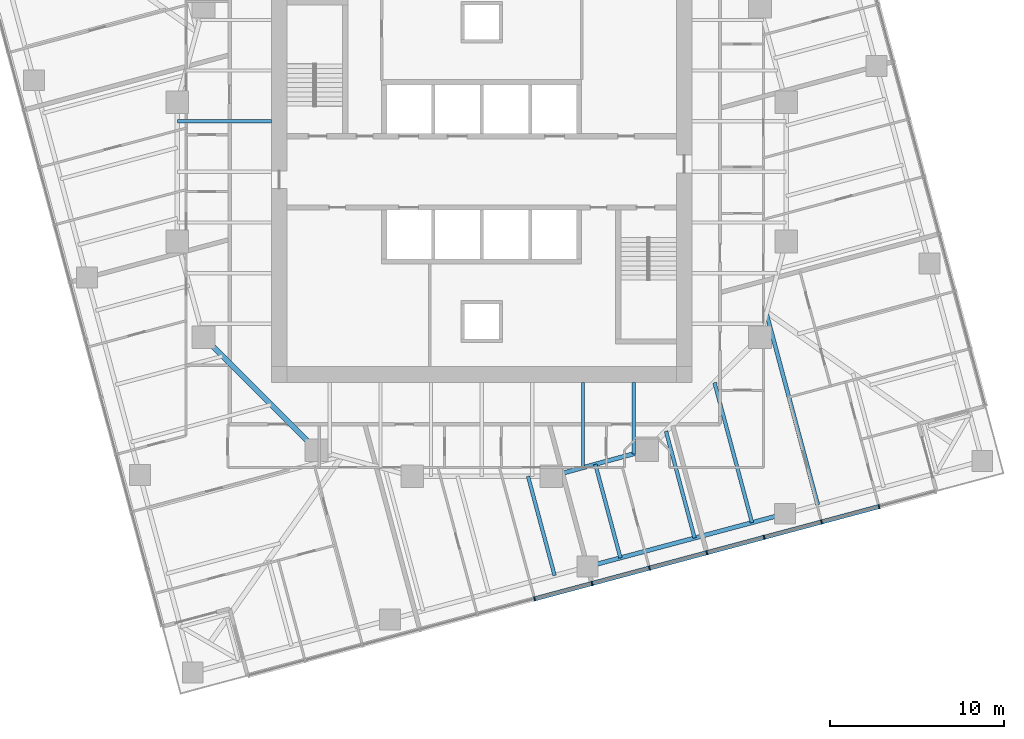
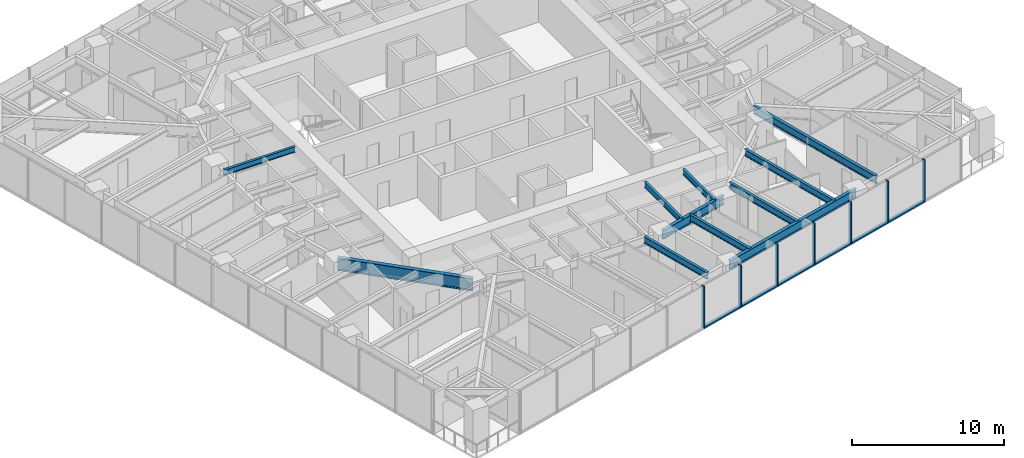
# One storey, part 3 of 14: 13 members, 11 beams, 1 element without a shape of its own.
"""IFC4 building model written with IfcOpenShell, lengths in metres."""

from ifc_helpers import new_model, si_unit, direction, frame, origin, origin_2d, place, context, subcontext, project, spatial, rectangle, i_section, extrude, material, material_profile, profile_set, type_object, element, aggregate, save


model = new_model("IFC4")

# Units and contexts
model_context = context("Model", 3, precision=1e-05, world=origin(), true_north=direction((0.0, 1.0)))
body_context = subcontext(model_context, "Body", "Model", "MODEL_VIEW")
ifc_project = project(units=[si_unit("LENGTHUNIT", "METRE"), si_unit("AREAUNIT", "SQUARE_METRE"), si_unit("VOLUMEUNIT", "CUBIC_METRE"), si_unit("PLANEANGLEUNIT", "RADIAN"), si_unit("MASSUNIT", "GRAM", prefix="KILO")], contexts=[model_context])

# Site, building, storey
site_placement = place(None, origin())
site = spatial("IfcSite", under=ifc_project, at=site_placement, CompositionType="ELEMENT")
building_placement = place(site_placement, origin())
building = spatial("IfcBuilding", under=site, at=building_placement, Name="Torsade Residences", CompositionType="ELEMENT")
storey_placement = place(building_placement, frame((0.0, 0.0, 121.800048828125)))
storey = spatial("IfcBuildingStorey", under=building, at=storey_placement, Name="L33", CompositionType="ELEMENT", Elevation=121.800048828125)

# Beams
ifc_material_1 = material(Name="Steel grade 300", Category="steel")
ifc_material_profile_1 = material_profile(ifc_material_1, i_section(OverallWidth=0.25, OverallDepth=0.699951171875, WebThickness=0.010009765625, FlangeThickness=0.02001953125, at=origin_2d()), Name="700WB130")
ifc_profile_set_1 = profile_set([ifc_material_profile_1], Name="Steel grade 300")
beam_type_1 = type_object("IfcBeamType", Name="EDGE BEAM 700WB130", PredefinedType="SPANDREL", material=ifc_profile_set_1)
beam_1_placement = place(storey_placement, frame((46.082275390625, 7.30078125, 2.89990234375), z_axis=(0.965928018634, 0.258810863021, 0.0), x_axis=(-0.258810863021, 0.965928018634, 0.0)))
element("IfcBeam", 1, at=beam_1_placement, inside=storey, type_object=beam_type_1, Name="Edge beam 03 L34", PredefinedType="SPANDREL", context=body_context, shape_type="SweptSolid", body=[
    extrude(i_section(OverallWidth=0.25, OverallDepth=0.699951171875, WebThickness=0.010009765625, FlangeThickness=0.02001953125, at=origin_2d()), origin(), (0.0, 0.0, 1.0), 11.75),
])
ifc_material_2 = material(Name="Steel grade 300", Category="steel")
ifc_material_profile_2 = material_profile(ifc_material_2, i_section(OverallWidth=0.18994140625, OverallDepth=0.4541015625, WebThickness=0.008544921875, FlangeThickness=0.0126953125, FilletRadius=0.011474609375, at=origin_2d()), Name="460UB67.1")
ifc_profile_set_2 = profile_set([ifc_material_profile_2], Name="Steel grade 300")
beam_type_2 = type_object("IfcBeamType", Name="INNER FLOOR BEAM 460UB67.1", PredefinedType="JOIST", material=ifc_profile_set_2)
beam_2_placement = place(storey_placement, frame((48.737548828125, 17.89990234375, 3.02294921875), z_axis=(0.0, -1.0, 0.0), x_axis=(1.0, 0.0, 0.0)))
element("IfcBeam", 2, at=beam_2_placement, inside=storey, type_object=beam_type_2, Name="Inner floor beam IS01 L34", PredefinedType="JOIST", context=body_context, shape_type="SweptSolid", body=[
    extrude(i_section(OverallWidth=0.18994140625, OverallDepth=0.4541015625, WebThickness=0.008544921875, FlangeThickness=0.0126953125, FilletRadius=0.011474609375, at=origin_2d()), origin(), (0.0, 0.0, 1.0), 4.10791015625),
])
beam_3_placement = place(storey_placement, frame((45.824951171875, 17.89990234375, 3.02294921875), z_axis=(0.0, -1.0, 0.0), x_axis=(1.0, 0.0, 0.0)))
element("IfcBeam", 3, at=beam_3_placement, inside=storey, type_object=beam_type_2, Name="Inner floor beam IS02 L34", PredefinedType="JOIST", context=body_context, shape_type="SweptSolid", body=[
    extrude(i_section(OverallWidth=0.18994140625, OverallDepth=0.4541015625, WebThickness=0.008544921875, FlangeThickness=0.0126953125, FilletRadius=0.011474609375, at=origin_2d()), origin(), (0.0, 0.0, 1.0), 4.902099609375),
])
beam_4_placement = place(storey_placement, frame((27.89990234375, 32.91259765625, 3.02294921875), z_axis=(-1.0, 0.0, 0.0), x_axis=(0.0, -1.0, 0.0)))
element("IfcBeam", 4, at=beam_4_placement, inside=storey, type_object=beam_type_2, Name="Inner floor beam IW03 L34", PredefinedType="JOIST", context=body_context, shape_type="SweptSolid", body=[
    extrude(i_section(OverallWidth=0.18994140625, OverallDepth=0.4541015625, WebThickness=0.008544921875, FlangeThickness=0.0126953125, FilletRadius=0.011474609375, at=origin_2d()), origin(), (0.0, 0.0, 1.0), 5.39990234375),
])

# Curtain wall, members
ifc_material_3 = material(Name="Aluminium and glass", Category="aluminium")
curtain_wall_type = type_object("IfcCurtainWallType", Name="FRITTED GLASS CURTAIN WALL MID ZONE", PredefinedType="NOTDEFINED", material=ifc_material_3)
curtain_wall_placement = place(storey_placement, origin())
curtain_wall = element("IfcCurtainWall", 5, at=curtain_wall_placement, inside=storey, type_object=curtain_wall_type, Name="Curtain wall L33 face 1", PredefinedType="NOTDEFINED")
ifc_material_4 = material(Name="Aluminium mullion", Category="aluminium")
ifc_material_profile_3 = material_profile(ifc_material_4, rectangle(XDim=0.25, YDim=0.080078125, at=origin_2d()), Name="MID ZONE CURTAIN WALL MULLION 250x80")
ifc_profile_set_3 = profile_set([ifc_material_profile_3], Name="Aluminium mullion")
member_type_1 = type_object("IfcMemberType", Name="MID ZONE CURTAIN WALL MULLION 250x80", PredefinedType="MULLION", material=ifc_profile_set_3)
member_1_placement = place(storey_placement, frame((43.040771484375, 5.450439453125, 0.0), z_axis=(0.0, 0.0, 1.0), x_axis=(-0.258819047783, 0.965925825571, 0.0)))
member_1 = element("IfcMember", 6, at=member_1_placement, type_object=member_type_1, Name="Mullion 6", PredefinedType="MULLION", context=body_context, shape_type="SweptSolid", body=[
    extrude(rectangle(XDim=0.25, YDim=0.080078125, at=origin_2d()), origin(), (0.0, 0.0, 1.0), 3.39990234375),
])
member_2_placement = place(storey_placement, frame((46.341064453125, 6.334716796875, 0.0), z_axis=(0.0, 0.0, 1.0), x_axis=(-0.258819047783, 0.965925825571, 0.0)))
member_2 = element("IfcMember", 7, at=member_2_placement, type_object=member_type_1, Name="Mullion 7", PredefinedType="MULLION", context=body_context, shape_type="SweptSolid", body=[
    extrude(rectangle(XDim=0.25, YDim=0.080078125, at=origin_2d()), origin(), (0.0, 0.0, 1.0), 3.39990234375),
])
member_3_placement = place(storey_placement, frame((49.641357421875, 7.218994140625, 0.0), z_axis=(0.0, 0.0, 1.0), x_axis=(-0.258819047783, 0.965925825571, 0.0)))
member_3 = element("IfcMember", 8, at=member_3_placement, type_object=member_type_1, Name="Mullion 8", PredefinedType="MULLION", context=body_context, shape_type="SweptSolid", body=[
    extrude(rectangle(XDim=0.25, YDim=0.080078125, at=origin_2d()), origin(), (0.0, 0.0, 1.0), 3.39990234375),
])
member_4_placement = place(storey_placement, frame((52.941650390625, 8.103515625, 0.0), z_axis=(0.0, 0.0, 1.0), x_axis=(-0.258819047783, 0.965925825571, 0.0)))
member_4 = element("IfcMember", 9, at=member_4_placement, type_object=member_type_1, Name="Mullion 9", PredefinedType="MULLION", context=body_context, shape_type="SweptSolid", body=[
    extrude(rectangle(XDim=0.25, YDim=0.080078125, at=origin_2d()), origin(), (0.0, 0.0, 1.0), 3.39990234375),
])
member_5_placement = place(storey_placement, frame((56.24169921875, 8.98779296875, 0.0), z_axis=(0.0, 0.0, 1.0), x_axis=(-0.258819047783, 0.965925825571, 0.0)))
member_5 = element("IfcMember", 10, at=member_5_placement, type_object=member_type_1, Name="Mullion 10", PredefinedType="MULLION", context=body_context, shape_type="SweptSolid", body=[
    extrude(rectangle(XDim=0.25, YDim=0.080078125, at=origin_2d()), origin(), (0.0, 0.0, 1.0), 3.39990234375),
])
member_6_placement = place(storey_placement, frame((59.5419921875, 9.8720703125, 0.0), z_axis=(0.0, 0.0, 1.0), x_axis=(-0.258819047783, 0.965925825571, 0.0)))
member_6 = element("IfcMember", 11, at=member_6_placement, type_object=member_type_1, Name="Mullion 11", PredefinedType="MULLION", context=body_context, shape_type="SweptSolid", body=[
    extrude(rectangle(XDim=0.25, YDim=0.080078125, at=origin_2d()), origin(), (0.0, 0.0, 1.0), 3.39990234375),
])
member_7_placement = place(storey_placement, frame((62.84228515625, 10.75634765625, 0.0), z_axis=(0.0, 0.0, 1.0), x_axis=(-0.258819047783, 0.965925825571, 0.0)))
member_7 = element("IfcMember", 12, at=member_7_placement, type_object=member_type_1, Name="Mullion 12", PredefinedType="MULLION", context=body_context, shape_type="SweptSolid", body=[
    extrude(rectangle(XDim=0.25, YDim=0.080078125, at=origin_2d()), origin(), (0.0, 0.0, 1.0), 3.39990234375),
])
ifc_material_5 = material(Name="Aluminium transom", Category="aluminium")
ifc_material_profile_4 = material_profile(ifc_material_5, rectangle(XDim=0.25, YDim=0.110107421875, at=origin_2d()), Name="MID ZONE CURTAIN WALL TRANSOM 250x110")
ifc_profile_set_4 = profile_set([ifc_material_profile_4], Name="Aluminium transom")
member_type_2 = type_object("IfcMemberType", Name="MID ZONE CURTAIN WALL TRANSOM 250x110", PredefinedType="USERDEFINED", material=ifc_profile_set_4)
member_8_placement = place(storey_placement, frame((43.079345703125, 5.4609375, 0.054931640625), z_axis=(0.965934335648, 0.258787285653, 0.0), x_axis=(-0.258787285653, 0.965934335648, 0.0)))
member_8 = element("IfcMember", 13, at=member_8_placement, type_object=member_type_2, Name="Transom 6.1", ObjectType="TRANSOM", PredefinedType="USERDEFINED", context=body_context, shape_type="SweptSolid", body=[
    extrude(rectangle(XDim=0.25, YDim=0.110107421875, at=origin_2d()), origin(), (0.0, 0.0, 1.0), 3.3369140625),
])
member_9_placement = place(storey_placement, frame((46.379638671875, 6.34521484375, 0.054931640625), z_axis=(0.965934335648, 0.258787285653, 0.0), x_axis=(-0.258787285653, 0.965934335648, 0.0)))
member_9 = element("IfcMember", 14, at=member_9_placement, type_object=member_type_2, Name="Transom 7.1", ObjectType="TRANSOM", PredefinedType="USERDEFINED", context=body_context, shape_type="SweptSolid", body=[
    extrude(rectangle(XDim=0.25, YDim=0.110107421875, at=origin_2d()), origin(), (0.0, 0.0, 1.0), 3.3369140625),
])
member_10_placement = place(storey_placement, frame((49.679931640625, 7.2294921875, 0.054931640625), z_axis=(0.965929435155, 0.258805576255, 0.0), x_axis=(-0.258805576255, 0.965929435155, 0.0)))
member_10 = element("IfcMember", 15, at=member_10_placement, type_object=member_type_2, Name="Transom 8.1", ObjectType="TRANSOM", PredefinedType="USERDEFINED", context=body_context, shape_type="SweptSolid", body=[
    extrude(rectangle(XDim=0.25, YDim=0.110107421875, at=origin_2d()), origin(), (0.0, 0.0, 1.0), 3.336669921875),
])
member_11_placement = place(storey_placement, frame((52.980224609375, 8.11376953125, 0.054931640625), z_axis=(0.965929435155, 0.258805576255, 0.0), x_axis=(-0.258805576255, 0.965929435155, 0.0)))
member_11 = element("IfcMember", 16, at=member_11_placement, type_object=member_type_2, Name="Transom 9.1", ObjectType="TRANSOM", PredefinedType="USERDEFINED", context=body_context, shape_type="SweptSolid", body=[
    extrude(rectangle(XDim=0.25, YDim=0.110107421875, at=origin_2d()), origin(), (0.0, 0.0, 1.0), 3.336669921875),
])
member_12_placement = place(storey_placement, frame((56.280517578125, 8.998046875, 0.054931640625), z_axis=(0.965929435155, 0.258805576255, 0.0), x_axis=(-0.258805576255, 0.965929435155, 0.0)))
member_12 = element("IfcMember", 17, at=member_12_placement, type_object=member_type_2, Name="Transom 10.1", ObjectType="TRANSOM", PredefinedType="USERDEFINED", context=body_context, shape_type="SweptSolid", body=[
    extrude(rectangle(XDim=0.25, YDim=0.110107421875, at=origin_2d()), origin(), (0.0, 0.0, 1.0), 3.336669921875),
])
member_13_placement = place(storey_placement, frame((59.580810546875, 9.88232421875, 0.054931640625), z_axis=(0.965929435155, 0.258805576255, 0.0), x_axis=(-0.258805576255, 0.965929435155, 0.0)))
member_13 = element("IfcMember", 18, at=member_13_placement, type_object=member_type_2, Name="Transom 11.1", ObjectType="TRANSOM", PredefinedType="USERDEFINED", context=body_context, shape_type="SweptSolid", body=[
    extrude(rectangle(XDim=0.25, YDim=0.110107421875, at=origin_2d()), origin(), (0.0, 0.0, 1.0), 3.336669921875),
])
aggregate(curtain_wall, [member_1, member_2, member_3, member_4, member_5, member_6, member_7, member_8, member_9, member_10, member_11, member_12, member_13])

# Beams
ifc_material_6 = material(Name="Steel grade 300", Category="steel")
ifc_material_profile_5 = material_profile(ifc_material_6, i_section(OverallWidth=0.300048828125, OverallDepth=1.0, WebThickness=0.01611328125, FlangeThickness=0.028076171875, at=origin_2d()), Name="1000WB215")
ifc_profile_set_5 = profile_set([ifc_material_profile_5], Name="Steel grade 300")
beam_type_3 = type_object("IfcBeamType", Name="RING CORNER GIRDER 1000WB215", PredefinedType="BEAM", material=ifc_profile_set_5)
beam_5_placement = place(storey_placement, frame((24.0, 20.5, 2.75), z_axis=(0.707106781187, -0.707106781187, 0.0), x_axis=(0.707106781187, 0.707106781187, 0.0)))
element("IfcBeam", 19, at=beam_5_placement, inside=storey, type_object=beam_type_3, Name="Ring girder IR11 L34", PredefinedType="BEAM", context=body_context, shape_type="SweptSolid", body=[
    extrude(i_section(OverallWidth=0.300048828125, OverallDepth=1.0, WebThickness=0.01611328125, FlangeThickness=0.028076171875, at=origin_2d()), origin(), (0.0, 0.0, 1.0), 9.1923828125),
])
ifc_material_7 = material(Name="Steel grade 300", Category="steel")
ifc_material_profile_6 = material_profile(ifc_material_7, i_section(OverallWidth=0.25, OverallDepth=0.699951171875, WebThickness=0.010009765625, FlangeThickness=0.02001953125, at=origin_2d()), Name="700WB130")
ifc_profile_set_6 = profile_set([ifc_material_profile_6], Name="Steel grade 300")
beam_type_4 = type_object("IfcBeamType", Name="RING GIRDER 700WB130", PredefinedType="BEAM", material=ifc_profile_set_6)
beam_6_placement = place(storey_placement, frame((44.0, 12.5, 2.89990234375), z_axis=(0.964763821238, 0.263117405792, 0.0), x_axis=(-0.263117405792, 0.964763821238, 0.0)))
element("IfcBeam", 20, at=beam_6_placement, inside=storey, type_object=beam_type_4, Name="Ring girder IR14 L34", PredefinedType="BEAM", context=body_context, shape_type="SweptSolid", body=[
    extrude(i_section(OverallWidth=0.25, OverallDepth=0.699951171875, WebThickness=0.010009765625, FlangeThickness=0.02001953125, at=origin_2d()), origin(), (0.0, 0.0, 1.0), 5.700927734375),
])
ifc_material_8 = material(Name="Steel grade 300", Category="steel")
ifc_material_profile_7 = material_profile(ifc_material_8, i_section(OverallWidth=0.208984375, OverallDepth=0.528076171875, WebThickness=0.009521484375, FlangeThickness=0.01318359375, FilletRadius=0.013916015625, at=origin_2d()), Name="530UB82.0")
ifc_profile_set_7 = profile_set([ifc_material_profile_7], Name="Steel grade 300")
beam_type_5 = type_object("IfcBeamType", Name="SECONDARY BEAM 530UB82.0", PredefinedType="JOIST", material=ifc_profile_set_7)
beam_7_placement = place(storey_placement, frame((44.190673828125, 6.7939453125, 2.98583984375), z_axis=(-0.258837996141, 0.965920748174, 0.0), x_axis=(-0.965920748174, -0.258837996141, 0.0)))
element("IfcBeam", 21, at=beam_7_placement, inside=storey, type_object=beam_type_5, Name="Floor beam FS06 L34", PredefinedType="JOIST", context=body_context, shape_type="SweptSolid", body=[
    extrude(i_section(OverallWidth=0.208984375, OverallDepth=0.528076171875, WebThickness=0.009521484375, FlangeThickness=0.01318359375, FilletRadius=0.013916015625, at=origin_2d()), origin(), (0.0, 0.0, 1.0), 5.907470703125),
])
beam_8_placement = place(storey_placement, frame((47.973876953125, 7.8076171875, 2.98583984375), z_axis=(-0.258829517553, 0.965923020144, 0.0), x_axis=(-0.965923020144, -0.258829517553, 0.0)))
element("IfcBeam", 22, at=beam_8_placement, inside=storey, type_object=beam_type_5, Name="Floor beam FS07 L34", PredefinedType="JOIST", context=body_context, shape_type="SweptSolid", body=[
    extrude(i_section(OverallWidth=0.208984375, OverallDepth=0.528076171875, WebThickness=0.009521484375, FlangeThickness=0.01318359375, FilletRadius=0.013916015625, at=origin_2d()), origin(), (0.0, 0.0, 1.0), 5.57275390625),
])
beam_9_placement = place(storey_placement, frame((52.239990234375, 8.95068359375, 2.98583984375), z_axis=(-0.258804520856, 0.965929717932, 0.0), x_axis=(-0.965929717932, -0.258804520856, 0.0)))
element("IfcBeam", 23, at=beam_9_placement, inside=storey, type_object=beam_type_5, Name="Floor beam FS08 L34", PredefinedType="JOIST", context=body_context, shape_type="SweptSolid", body=[
    extrude(i_section(OverallWidth=0.208984375, OverallDepth=0.528076171875, WebThickness=0.009521484375, FlangeThickness=0.01318359375, FilletRadius=0.013916015625, at=origin_2d()), origin(), (0.0, 0.0, 1.0), 6.360107421875),
])
beam_10_placement = place(storey_placement, frame((55.540283203125, 9.8349609375, 2.98583984375), z_axis=(-0.258833232221, 0.96592202475, 0.0), x_axis=(-0.96592202475, -0.258833232221, 0.0)))
element("IfcBeam", 24, at=beam_10_placement, inside=storey, type_object=beam_type_5, Name="Floor beam FS09 L34", PredefinedType="JOIST", context=body_context, shape_type="SweptSolid", body=[
    extrude(i_section(OverallWidth=0.208984375, OverallDepth=0.528076171875, WebThickness=0.009521484375, FlangeThickness=0.01318359375, FilletRadius=0.013916015625, at=origin_2d()), origin(), (0.0, 0.0, 1.0), 8.33251953125),
])
ifc_material_9 = material(Name="Steel grade 300", Category="steel")
ifc_material_profile_8 = material_profile(ifc_material_9, i_section(OverallWidth=0.22900390625, OverallDepth=0.612060546875, WebThickness=0.011962890625, FlangeThickness=0.01953125, FilletRadius=0.013916015625, at=origin_2d()), Name="610UB125")
ifc_profile_set_8 = profile_set([ifc_material_profile_8], Name="Steel grade 300")
beam_type_6 = type_object("IfcBeamType", Name="SECONDARY BEAM 610UB125", PredefinedType="JOIST", material=ifc_profile_set_8)
beam_11_placement = place(storey_placement, frame((59.323486328125, 10.8486328125, 2.94384765625), z_axis=(-0.258807068179, 0.965929035417, 0.0), x_axis=(-0.965929035417, -0.258807068179, 0.0)))
element("IfcBeam", 25, at=beam_11_placement, inside=storey, type_object=beam_type_6, Name="Floor beam FS10 L34", PredefinedType="JOIST", context=body_context, shape_type="SweptSolid", body=[
    extrude(i_section(OverallWidth=0.22900390625, OverallDepth=0.612060546875, WebThickness=0.011962890625, FlangeThickness=0.01953125, FilletRadius=0.013916015625, at=origin_2d()), origin(), (0.0, 0.0, 1.0), 11.40380859375),
])

save(model, "model.ifc")
